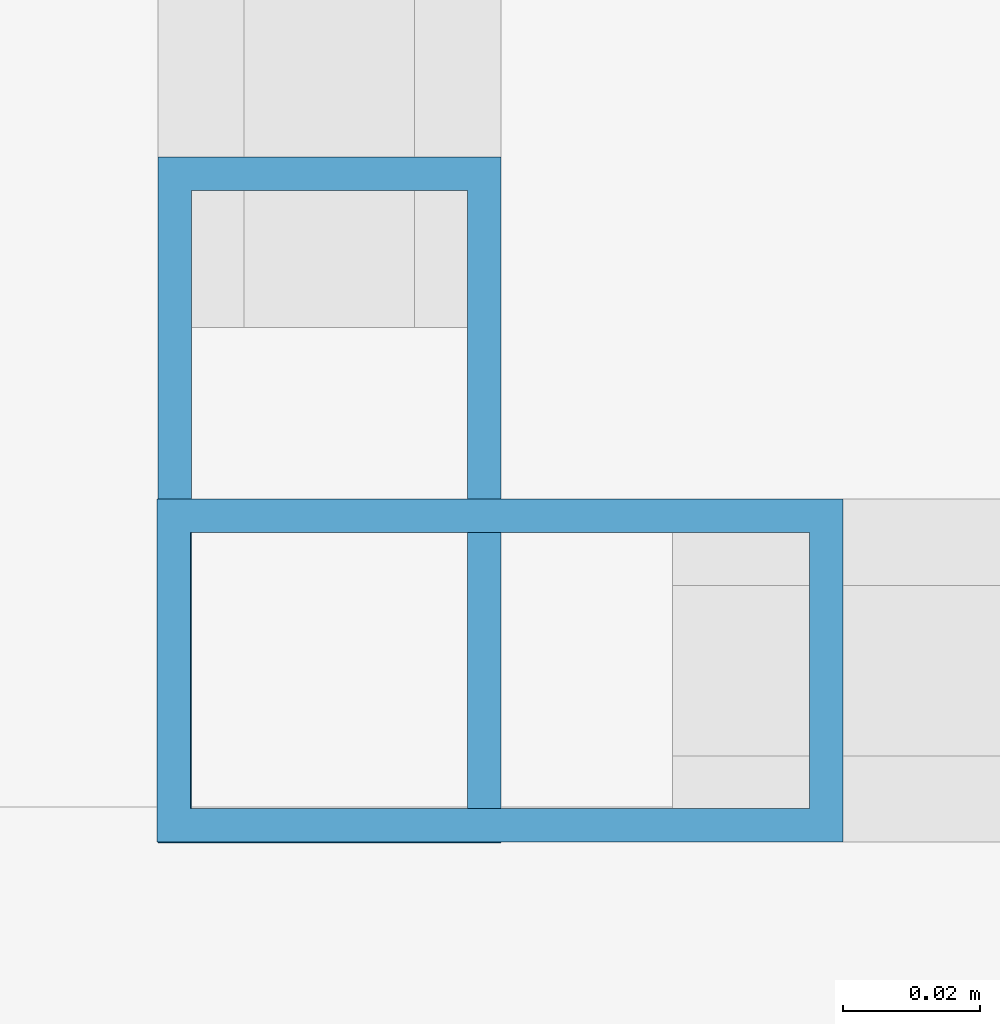
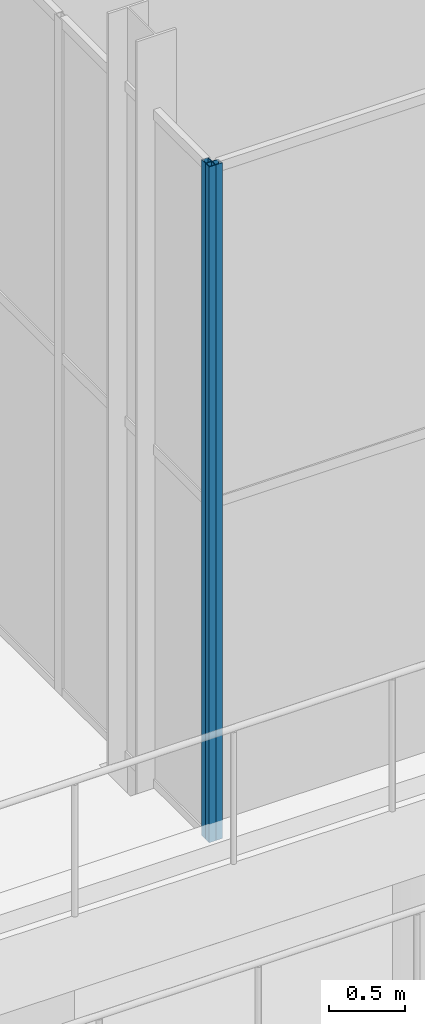
# One storey, part 119 of 212: 2 members, 2 elements without a shape of their own.
"""IFC4 building model written with IfcOpenShell, lengths in metres."""

from ifc_helpers import new_model, si_unit, direction, frame, origin, origin_2d, place, context, subcontext, project, spatial, hollow_rectangle, extrude, material, material_profile, profile_set, type_object, element, aggregate, save


model = new_model("IFC4")

# Units and contexts
model_context = context("Model", 3, precision=1e-05, world=origin(), true_north=direction((0.0, 1.0)))
body_context = subcontext(model_context, "Body", "Model", "MODEL_VIEW")
ifc_project = project(units=[si_unit("LENGTHUNIT", "METRE"), si_unit("AREAUNIT", "SQUARE_METRE"), si_unit("VOLUMEUNIT", "CUBIC_METRE"), si_unit("PLANEANGLEUNIT", "RADIAN"), si_unit("MASSUNIT", "GRAM", prefix="KILO")], contexts=[model_context])

# Site, building, storey
site_placement = place(None, origin())
site = spatial("IfcSite", under=ifc_project, at=site_placement, CompositionType="ELEMENT")
building_placement = place(site_placement, origin())
building = spatial("IfcBuilding", under=site, at=building_placement, Name="Catenary Quay Ferry Terminal", CompositionType="ELEMENT")
storey_placement = place(building_placement, origin())
storey = spatial("IfcBuildingStorey", under=building, at=storey_placement, Name="L00", CompositionType="ELEMENT", Elevation=0.0)

# Curtain wall, member
ifc_material_1 = material(Name="Aluminium and glass", Category="aluminium")
curtain_wall_type = type_object("IfcCurtainWallType", Name="CWK", PredefinedType="NOTDEFINED", material=ifc_material_1)
curtain_wall_1_placement = place(storey_placement, origin())
curtain_wall_1 = element("IfcCurtainWall", 1, at=curtain_wall_1_placement, inside=storey, type_object=curtain_wall_type, Name="Head berth 2 stair curtain wall CW84", PredefinedType="NOTDEFINED")
ifc_material_2 = material(Name="Aluminium", Category="aluminium")
ifc_material_profile = material_profile(ifc_material_2, hollow_rectangle(XDim=0.050048828125, YDim=0.10009765625, WallThickness=0.0048828125, at=origin_2d()), Name="MU1")
ifc_profile_set = profile_set([ifc_material_profile], Name="Aluminium")
member_type = type_object("IfcMemberType", Name="MU1", PredefinedType="MULLION", material=ifc_profile_set)
member_1_placement = place(storey_placement, frame((126.02490234375, 85.5, 0.0), z_axis=(0.0, 0.0, 1.0), x_axis=(0.0, 1.0, 0.0)))
member_1 = element("IfcMember", 2, at=member_1_placement, type_object=member_type, Name="CW84 mullion 1", PredefinedType="MULLION", context=body_context, shape_type="SweptSolid", body=[
    extrude(hollow_rectangle(XDim=0.050048828125, YDim=0.10009765625, WallThickness=0.0048828125, at=origin_2d()), origin(), (0.0, 0.0, 1.0), 5.39990234375),
])
aggregate(curtain_wall_1, [member_1])

curtain_wall_2_placement = place(storey_placement, origin())
curtain_wall_2 = element("IfcCurtainWall", 3, at=curtain_wall_2_placement, inside=storey, type_object=curtain_wall_type, Name="Head berth 2 stair curtain wall CW86", PredefinedType="NOTDEFINED")
member_2_placement = place(storey_placement, frame((126.0, 85.52490234375, 0.0), z_axis=(0.0, 0.0, 1.0), x_axis=(-1.0, 0.0, 0.0)))
member_2 = element("IfcMember", 4, at=member_2_placement, type_object=member_type, Name="CW86 mullion 1", PredefinedType="MULLION", context=body_context, shape_type="SweptSolid", body=[
    extrude(hollow_rectangle(XDim=0.050048828125, YDim=0.10009765625, WallThickness=0.0048828125, at=origin_2d()), origin(), (0.0, 0.0, 1.0), 5.39990234375),
])
aggregate(curtain_wall_2, [member_2])

save(model, "model.ifc")
